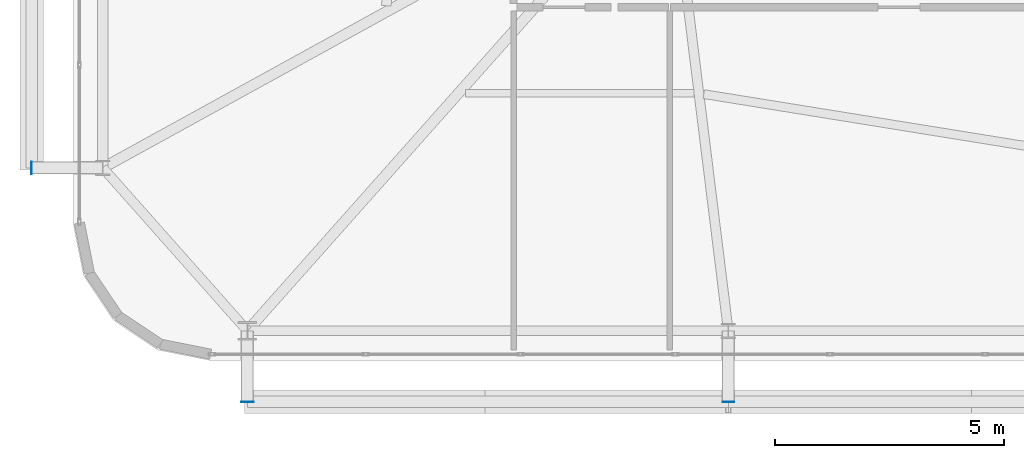
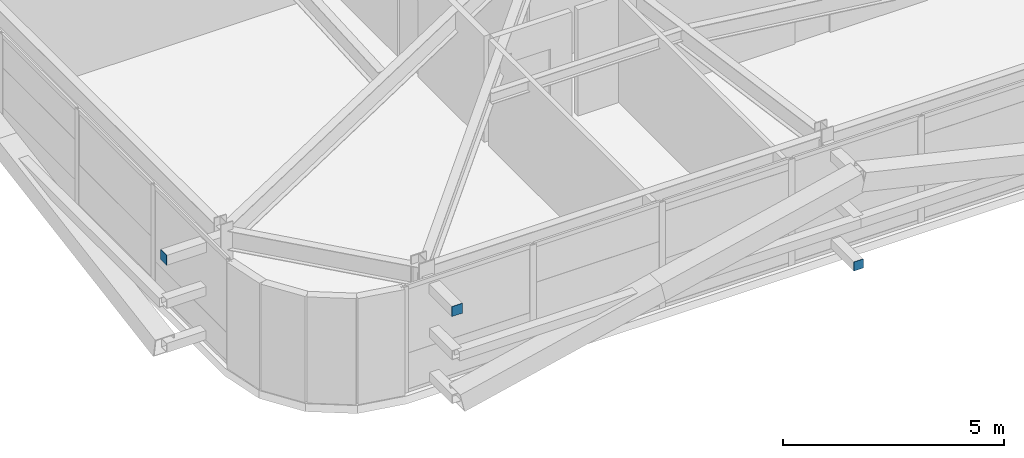
# One storey, part 44 of 59: 3 plates.
"""IFC4 building model written with IfcOpenShell, lengths in metres."""

from ifc_helpers import new_model, si_unit, direction, frame, origin, origin_2d, place, context, subcontext, project, spatial, rectangle, extrude, source, transform, mapped, material, layer, layer_set, type_object, element, save


model = new_model("IFC4")

# Units and contexts
model_context = context("Model", 3, precision=1e-05, world=origin(), true_north=direction((0.0, 1.0)))
body_context = subcontext(model_context, "Body", "Model", "MODEL_VIEW")
ifc_project = project(units=[si_unit("LENGTHUNIT", "METRE"), si_unit("AREAUNIT", "SQUARE_METRE"), si_unit("VOLUMEUNIT", "CUBIC_METRE"), si_unit("PLANEANGLEUNIT", "RADIAN"), si_unit("MASSUNIT", "GRAM", prefix="KILO")], contexts=[model_context])

# Site, building, storey
site_placement = place(None, origin())
site = spatial("IfcSite", under=ifc_project, at=site_placement, CompositionType="ELEMENT")
building_placement = place(site_placement, origin())
building = spatial("IfcBuilding", under=site, at=building_placement, Name="Taldren Reach Tower", CompositionType="ELEMENT")
storey_placement = place(building_placement, frame((0.0, 0.0, 48.300048828125)))
storey = spatial("IfcBuildingStorey", under=building, at=storey_placement, Name="L14", CompositionType="ELEMENT", Elevation=48.300048828125)

# Plates
ifc_material_1 = material(Name="Steel Gr 450 (C450L0)", Category="steel")
ifc_layer_1 = layer(ifc_material_1, 0.011962890625)
ifc_layer_set_1 = layer_set([ifc_layer_1], Name="Steel Gr 450 (C450L0)")
plate_type_1 = type_object("IfcPlateType", Name="PL-CAP-275", PredefinedType="SHEET", material=ifc_layer_set_1)
shared_shape_1 = source(origin(), body_context, "Body", "SweptSolid", [
    extrude(rectangle(XDim=0.27490234375, YDim=0.011962890625, at=origin_2d()), origin(), (0.0, 0.0, 1.0), 0.27490234375),
])
plate_1_placement = place(storey_placement, frame((8.800048828125, 0.593994140625, 2.512451171875), z_axis=(0.0, 0.0, 1.0), x_axis=(1.0, 0.0, 0.0)))
element("IfcPlate", 1, at=plate_1_placement, inside=storey, type_object=plate_type_1, Name="Tie strut end cap plate B1-S1 L14", PredefinedType="SHEET", context=body_context, shape_type="MappedRepresentation", body=[
    mapped(shared_shape_1, transform((0.0, 0.0, 0.0), scale=1.0)),
])
shared_shape_2 = source(origin(), body_context, "Body", "SweptSolid", [
    extrude(rectangle(XDim=0.011962890625, YDim=0.27490234375, at=origin_2d()), origin(), (0.0, 0.0, 1.0), 0.27490234375),
])
plate_2_placement = place(storey_placement, frame((4.093994140625, 5.699951171875, 2.512451171875), z_axis=(0.0, 0.0, 1.0), x_axis=(1.0, 0.0, 0.0)))
element("IfcPlate", 2, at=plate_2_placement, inside=storey, type_object=plate_type_1, Name="Tie strut end cap plate B1-W1 L14", PredefinedType="SHEET", context=body_context, shape_type="MappedRepresentation", body=[
    mapped(shared_shape_2, transform((0.0, 0.0, 0.0), scale=1.0)),
])
ifc_material_2 = material(Name="Steel Gr 350 (C350L0)", Category="steel")
ifc_layer_2 = layer(ifc_material_2, 0.011962890625)
ifc_layer_set_2 = layer_set([ifc_layer_2], Name="Steel Gr 350 (C350L0)")
plate_type_2 = type_object("IfcPlateType", Name="PL-CAP-250", PredefinedType="SHEET", material=ifc_layer_set_2)
shared_shape_3 = source(origin(), body_context, "Body", "SweptSolid", [
    extrude(rectangle(XDim=0.25, YDim=0.011962890625, at=origin_2d()), origin(), (0.0, 0.0, 1.0), 0.25),
])
plate_3_placement = place(storey_placement, frame((19.280029296875, 0.593994140625, 0.094970703125), z_axis=(0.0, 0.0, 1.0), x_axis=(1.0, 0.0, 0.0)))
element("IfcPlate", 3, at=plate_3_placement, inside=storey, type_object=plate_type_2, Name="Tie strut end cap plate B1-S2 L14", PredefinedType="SHEET", context=body_context, shape_type="MappedRepresentation", body=[
    mapped(shared_shape_3, transform((0.0, 0.0, 0.0), scale=1.0)),
])

save(model, "model.ifc")
